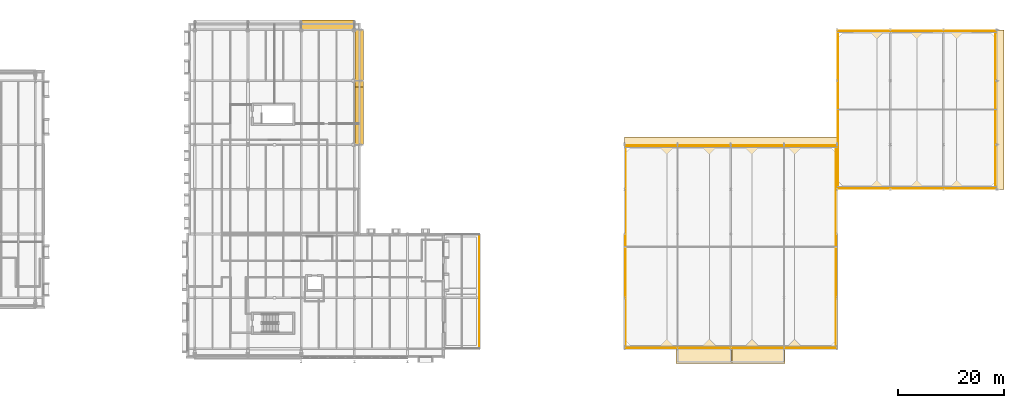
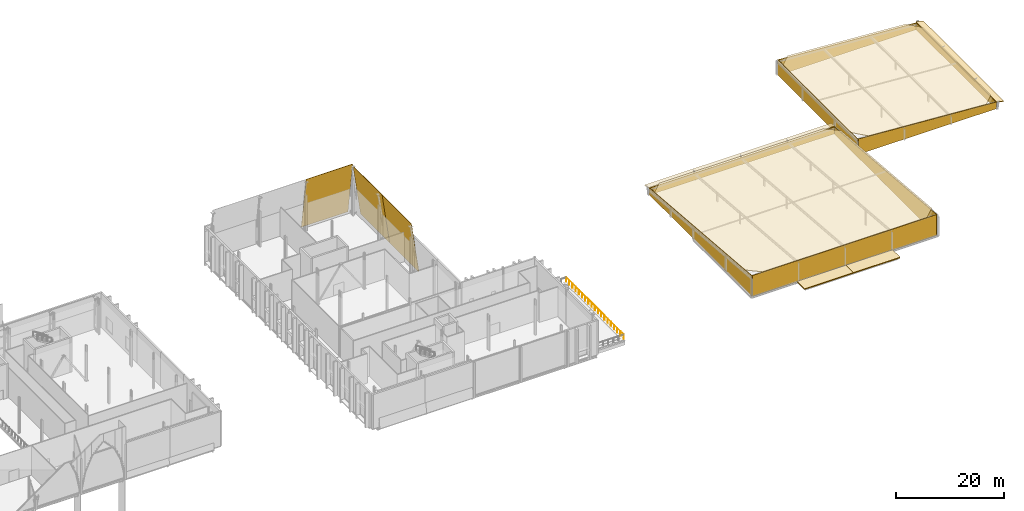
# One storey, part 79 of 79: 17 coverings, 1 railing.
"""IFC4 building model written with IfcOpenShell, lengths in metres."""

from ifc_helpers import new_model, si_unit, direction, frame, origin, origin_2d, place, context, subcontext, project, spatial, polyline, circle, outline, extrude, material, layer, layer_set, type_object, element, save


model = new_model("IFC4")

# Units and contexts
model_context = context("Model", 3, precision=1e-05, world=origin(), true_north=direction((0.0, 1.0)))
body_context = subcontext(model_context, "Body", "Model", "MODEL_VIEW")
ifc_project = project(units=[si_unit("LENGTHUNIT", "METRE"), si_unit("AREAUNIT", "SQUARE_METRE"), si_unit("VOLUMEUNIT", "CUBIC_METRE"), si_unit("PLANEANGLEUNIT", "RADIAN"), si_unit("MASSUNIT", "GRAM", prefix="KILO")], contexts=[model_context])

# Site, building, storey
site_placement = place(None, origin())
site = spatial("IfcSite", under=ifc_project, at=site_placement, CompositionType="ELEMENT")
building_placement = place(site_placement, origin())
building = spatial("IfcBuilding", under=site, at=building_placement, Name="Zereglee Splitstone Museum", CompositionType="ELEMENT")
storey_placement = place(building_placement, frame((0.0, 0.0, 9.0)))
storey = spatial("IfcBuildingStorey", under=building, at=storey_placement, Name="L02", CompositionType="ELEMENT", Elevation=9.0)

# Coverings
ifc_material_1 = material(Name="Honed Gobi pale limestone stringcourse and soffit cladding", Category="masonry")
ifc_layer_1 = layer(ifc_material_1, 0.070068359375)
ifc_layer_set_1 = layer_set([ifc_layer_1], Name="Honed Gobi pale limestone stringcourse and soffit cladding")
covering_type_1 = type_object("IfcCoveringType", Name="CL-02", PredefinedType="CLADDING", material=ifc_layer_set_1)
covering_1_placement = place(storey_placement, frame((195.199951171875, 60.06005859375, 11.64990234375), z_axis=(0.0, 0.988937245775, 0.1483345001), x_axis=(1.0, 0.0, 0.0)))
element("IfcCovering", 1, at=covering_1_placement, inside=storey, type_object=covering_type_1, Name="Split-Rock Continuous Inclined Facet FH-V4N L02.3", PredefinedType="CLADDING", context=body_context, shape_type="SweptSolid", body=[
    extrude(outline(polyline([(0.0, 0.0), (10.0, 0.0), (10.0, 12.033020694280395), (0.0, 12.033020694280395), (0.0, 0.0)])), origin(), (0.0, 0.0, -1.0), 0.070068359375),
])
ifc_material_2 = material(Name="Honed Khoroo red sandstone ventilated rainscreen", Category="masonry")
ifc_layer_2 = layer(ifc_material_2, 0.080078125)
ifc_layer_set_2 = layer_set([ifc_layer_2], Name="Honed Khoroo red sandstone ventilated rainscreen")
covering_type_2 = type_object("IfcCoveringType", Name="CL-01", PredefinedType="CLADDING", material=ifc_layer_set_2)
for number, where, z_axis, x_axis, name in (
    (2, (206.93798828125, 38.39990234375, -0.25), (0.990078421269, 0.0, 0.140515905636), (0.0, 1.0, 0.0), "Split-Rock Continuous Inclined Facet FH-V4E L02.1"),
    (3, (206.93798828125, 49.199951171875, -0.25), (0.990078421269, 0.0, 0.140515905636), (0.0, 1.0, 0.0), "Split-Rock Continuous Inclined Facet FH-V4E L02.2"),
):
    element("IfcCovering", number, at=place(storey_placement, frame(where, z_axis=z_axis, x_axis=x_axis)), inside=storey, type_object=covering_type_2, Name=name, PredefinedType="CLADDING", context=body_context, shape_type="SweptSolid", body=[
        extrude(outline(polyline([(0.0, 0.0), (10.800048828125, 0.0), (10.800048828125, 11.514140798194052), (0.0, 11.514140798194052), (0.0, 0.0)])), origin(), (0.0, 0.0, -1.0), 0.080078125),
    ])
covering_2_placement = place(storey_placement, frame((256.14990234375, 0.14990234375, 0.0), z_axis=(0.0, -1.0, 0.0), x_axis=(1.0, 0.0, 0.0)))
element("IfcCovering", 4, at=covering_2_placement, inside=storey, type_object=covering_type_2, Name="Raked Attic Split-Rock Cladding RF-V5 S", PredefinedType="CLADDING", context=body_context, shape_type="SweptSolid", body=[
    extrude(outline(polyline([(0.0, 0.0), (39.7001953125, 0.0), (39.7001953125, 4.762451171875), (0.0, 4.762451171875), (0.0, 0.0)])), origin(), (0.0, 0.0, -1.0), 0.1201171875),
])
covering_3_placement = place(storey_placement, frame((256.14990234375, 38.25, 1.58740234375), z_axis=(0.0, 1.0, 0.0), x_axis=(1.0, 0.0, 0.0)))
element("IfcCovering", 5, at=covering_3_placement, inside=storey, type_object=covering_type_2, Name="Raked Attic Split-Rock Cladding RF-V5 N", PredefinedType="CLADDING", context=body_context, shape_type="SweptSolid", body=[
    extrude(outline(polyline([(0.0, 0.0), (39.7001953125, 0.0), (39.7001953125, 1.58740234375), (0.0, 1.58740234375), (0.0, 0.0)])), origin(), (0.0, 0.0, -1.0), 0.1201171875),
])
covering_4_placement = place(storey_placement, frame((256.14990234375, 0.14990234375, 4.762451171875), z_axis=(-1.0, 0.0, 0.0), x_axis=(0.0, 0.996545670165, -0.083046536804)))
element("IfcCovering", 6, at=covering_4_placement, inside=storey, type_object=covering_type_2, Name="Raked Attic Split-Rock Cladding RF-V5 W", PredefinedType="CLADDING", context=body_context, shape_type="SweptSolid", body=[
    extrude(outline(polyline([(0.0, 0.0), (38.23216416156382, 0.0), (38.36399242872619, 1.581918932474088), (0.3955050765205167, 4.74600009470502), (0.0, 0.0)])), origin(), (0.0, 0.0, -1.0), 0.1201171875),
])
covering_5_placement = place(storey_placement, frame((295.85009765625, 0.14990234375, 0.0), z_axis=(1.0, 0.0, 0.0), x_axis=(0.0, 1.0, 0.0)))
element("IfcCovering", 7, at=covering_5_placement, inside=storey, type_object=covering_type_2, Name="Raked Attic Split-Rock Cladding RF-V5 E", PredefinedType="CLADDING", context=body_context, shape_type="SweptSolid", body=[
    extrude(outline(polyline([(0.0, 0.0), (38.10009765625, 0.0), (38.10009765625, 1.58740234375), (0.0, 4.762451171875), (0.0, 0.0)])), origin(), (0.0, 0.0, -1.0), 0.1201171875),
])
covering_6_placement = place(storey_placement, frame((296.14990234375, 30.14990234375, 0.0), z_axis=(0.0, -1.0, 0.0), x_axis=(1.0, 0.0, 0.0)))
element("IfcCovering", 8, at=covering_6_placement, inside=storey, type_object=covering_type_2, Name="Raked Attic Split-Rock Cladding RF-V6 S", PredefinedType="CLADDING", context=body_context, shape_type="SweptSolid", body=[
    extrude(outline(polyline([(0.0, 0.0), (29.7001953125, 0.0), (29.7001953125, 1.534912109375), (0.0, 3.514892578125), (0.0, 0.0)])), origin(), (0.0, 0.0, -1.0), 0.1201171875),
])
covering_7_placement = place(storey_placement, frame((296.14990234375, 59.85009765625, 3.514892578125), z_axis=(0.0, 1.0, 0.0), x_axis=(0.99778523044, 0.0, -0.066517921768)))
element("IfcCovering", 9, at=covering_7_placement, inside=storey, type_object=covering_type_2, Name="Raked Attic Split-Rock Cladding RF-V6 N", PredefinedType="CLADDING", context=body_context, shape_type="SweptSolid", body=[
    extrude(outline(polyline([(0.0, 0.0), (29.766120409910297, 2.220446049250313e-16), (29.868219573521774, 1.5315126327575133), (0.23380334953307425, 3.5071079010354564), (0.0, 0.0)])), origin(), (0.0, 0.0, -1.0), 0.1201171875),
])
covering_8_placement = place(storey_placement, frame((296.14990234375, 30.14990234375, 3.514892578125), z_axis=(-1.0, 0.0, 0.0), x_axis=(0.0, 1.0, 0.0)))
element("IfcCovering", 10, at=covering_8_placement, inside=storey, type_object=covering_type_2, Name="Raked Attic Split-Rock Cladding RF-V6 W", PredefinedType="CLADDING", context=body_context, shape_type="SweptSolid", body=[
    extrude(outline(polyline([(0.0, 0.0), (29.7001953125, 0.0), (29.7001953125, 3.514892578125), (0.0, 3.514892578125), (0.0, 0.0)])), origin(), (0.0, 0.0, -1.0), 0.1201171875),
])
covering_9_placement = place(storey_placement, frame((325.85009765625, 30.14990234375, 0.0), z_axis=(1.0, 0.0, 0.0), x_axis=(0.0, 1.0, 0.0)))
element("IfcCovering", 11, at=covering_9_placement, inside=storey, type_object=covering_type_2, Name="Raked Attic Split-Rock Cladding RF-V6 E", PredefinedType="CLADDING", context=body_context, shape_type="SweptSolid", body=[
    extrude(outline(polyline([(0.0, 0.0), (29.7001953125, 0.0), (29.7001953125, 1.534912109375), (0.0, 1.534912109375), (0.0, 0.0)])), origin(), (0.0, 0.0, -1.0), 0.1201171875),
])

# Railing
ifc_material_3 = material(Name="Brushed stainless steel 1.4404 post-and-rail guard", Category="steel")
railing_type = type_object("IfcRailingType", Name="GR-01", PredefinedType="GUARDRAIL", material=ifc_material_3)
railing_placement = place(storey_placement, frame((228.679931640625, 0.1201171875, 0.0)))
element("IfcRailing", 12, at=railing_placement, inside=storey, type_object=railing_type, Name="Outdoor Terrace Guard TER-L02-S1-2", PredefinedType="GUARDRAIL", context=body_context, shape_type="SweptSolid", body=[
    extrude(circle(Radius=0.02392578125, at=origin_2d()), frame((0.0, 0.0, 1.076416015625), z_axis=(0.0, 1.0, 0.0), x_axis=(-1.0, 0.0, 0.0)), (0.0, 0.0, 1.0), 21.35986328125),
    extrude(circle(Radius=0.02099609375, at=origin_2d()), origin(), (0.0, 0.0, 1.0), 1.052001953125),
    extrude(circle(Radius=0.02099609375, at=origin_2d()), frame((0.0, 1.186767578125, 0.0)), (0.0, 0.0, 1.0), 1.052001953125),
    extrude(circle(Radius=0.02099609375, at=origin_2d()), frame((0.0, 2.373291015625, 0.0)), (0.0, 0.0, 1.0), 1.052001953125),
    extrude(circle(Radius=0.02099609375, at=origin_2d()), frame((0.0, 3.56005859375, 0.0)), (0.0, 0.0, 1.0), 1.052001953125),
    extrude(circle(Radius=0.02099609375, at=origin_2d()), frame((0.0, 4.74658203125, 0.0)), (0.0, 0.0, 1.0), 1.052001953125),
    extrude(circle(Radius=0.02099609375, at=origin_2d()), frame((0.0, 5.933349609375, 0.0)), (0.0, 0.0, 1.0), 1.052001953125),
    extrude(circle(Radius=0.02099609375, at=origin_2d()), frame((0.0, 7.119873046875, 0.0)), (0.0, 0.0, 1.0), 1.052001953125),
    extrude(circle(Radius=0.02099609375, at=origin_2d()), frame((0.0, 8.306640625, 0.0)), (0.0, 0.0, 1.0), 1.052001953125),
    extrude(circle(Radius=0.02099609375, at=origin_2d()), frame((0.0, 9.4931640625, 0.0)), (0.0, 0.0, 1.0), 1.052001953125),
    extrude(circle(Radius=0.02099609375, at=origin_2d()), frame((0.0, 10.679931640625, 0.0)), (0.0, 0.0, 1.0), 1.052001953125),
    extrude(circle(Radius=0.02099609375, at=origin_2d()), frame((0.0, 11.86669921875, 0.0)), (0.0, 0.0, 1.0), 1.052001953125),
    extrude(circle(Radius=0.02099609375, at=origin_2d()), frame((0.0, 13.05322265625, 0.0)), (0.0, 0.0, 1.0), 1.052001953125),
    extrude(circle(Radius=0.02099609375, at=origin_2d()), frame((0.0, 14.239990234375, 0.0)), (0.0, 0.0, 1.0), 1.052001953125),
    extrude(circle(Radius=0.02099609375, at=origin_2d()), frame((0.0, 15.426513671875, 0.0)), (0.0, 0.0, 1.0), 1.052001953125),
    extrude(circle(Radius=0.02099609375, at=origin_2d()), frame((0.0, 16.61328125, 0.0)), (0.0, 0.0, 1.0), 1.052001953125),
    extrude(circle(Radius=0.02099609375, at=origin_2d()), frame((0.0, 17.7998046875, 0.0)), (0.0, 0.0, 1.0), 1.052001953125),
    extrude(circle(Radius=0.02099609375, at=origin_2d()), frame((0.0, 18.986572265625, 0.0)), (0.0, 0.0, 1.0), 1.052001953125),
    extrude(circle(Radius=0.02099609375, at=origin_2d()), frame((0.0, 20.173095703125, 0.0)), (0.0, 0.0, 1.0), 1.052001953125),
    extrude(circle(Radius=0.02099609375, at=origin_2d()), frame((0.0, 21.35986328125, 0.0)), (0.0, 0.0, 1.0), 1.052001953125),
])

# Coverings
ifc_material_4 = material(Name="Honed Khoroo red sandstone chhajja eave coping", Category="masonry")
ifc_layer_3 = layer(ifc_material_4, 0.110107421875)
ifc_layer_set_3 = layer_set([ifc_layer_3], Name="Honed Khoroo red sandstone chhajja eave coping")
covering_type_3 = type_object("IfcCoveringType", Name="RF-C2", PredefinedType="ROOFING", material=ifc_layer_set_3)
covering_10_placement = place(storey_placement, frame((0.0, 0.0, -0.02001953125)))
element("IfcCovering", 13, at=covering_10_placement, inside=storey, type_object=covering_type_3, Name="Mughal Pishtaq Carved Cornice Deck PSQ-SV5-1", PredefinedType="ROOFING", context=body_context, shape_type="SweptSolid", body=[
    extrude(outline(polyline([(265.75, -2.75), (276.25, -2.75), (276.25, 0.050048828125), (265.75, 0.050048828125), (265.75, -2.75)])), origin(), (0.0, 0.0, 1.0), 0.219970703125),
])
covering_11_placement = place(storey_placement, frame((0.0, 0.0, -0.02001953125)))
element("IfcCovering", 14, at=covering_11_placement, inside=storey, type_object=covering_type_3, Name="Mughal Pishtaq Carved Cornice Deck PSQ-SV5-2", PredefinedType="ROOFING", context=body_context, shape_type="SweptSolid", body=[
    extrude(outline(polyline([(275.75, -2.75), (286.25, -2.75), (286.25, 0.050048828125), (275.75, 0.050048828125), (275.75, -2.75)])), origin(), (0.0, 0.0, 1.0), 0.219970703125),
])
covering_12_placement = place(storey_placement, frame((256.0, 38.25, 1.669921875), z_axis=(0.0, 0.202075089162, 0.979370031367), x_axis=(1.0, 0.0, 0.0)))
element("IfcCovering", 15, at=covering_12_placement, inside=storey, type_object=covering_type_3, Name="Projecting Mughal Chhajja Stone Eave RF-V5", PredefinedType="ROOFING", context=body_context, shape_type="SweptSolid", body=[
    extrude(outline(polyline([(0.0, 0.0), (40.0, 0.0), (40.0, 1.58269987694153), (0.0, 1.58269987694153), (0.0, 0.0)])), origin(), (0.0, 0.0, -1.0), 0.110107421875),
])
covering_13_placement = place(storey_placement, frame((327.39990234375, 30.0, 1.300048828125), z_axis=(0.202253592257, 0.0, 0.979333183559), x_axis=(0.0, 1.0, 0.0)))
element("IfcCovering", 16, at=covering_13_placement, inside=storey, type_object=covering_type_3, Name="Projecting Mughal Chhajja Stone Eave RF-V6", PredefinedType="ROOFING", context=body_context, shape_type="SweptSolid", body=[
    extrude(outline(polyline([(0.0, 0.0), (30.0, 0.0), (30.0, 1.5825101339549066), (0.0, 1.5825101339549066), (0.0, 0.0)])), origin(), (0.0, 0.0, -1.0), 0.110107421875),
])
ifc_material_5 = material(Name="Pre-weathered quartz-zinc standing-seam roofing on rigid PIR insulation")
ifc_layer_4 = layer(ifc_material_5, 0.1201171875)
ifc_layer_set_4 = layer_set([ifc_layer_4], Name="Pre-weathered quartz-zinc standing-seam roofing on rigid PIR insulation")
covering_type_4 = type_object("IfcCoveringType", Name="RF-C1", PredefinedType="ROOFING", material=ifc_layer_set_4)
covering_14_placement = place(storey_placement, frame((258.39990234375, 0.0, 4.965087890625), z_axis=(0.0, 0.083050129014, 0.996545370804), x_axis=(1.0, 0.0, 0.0)))
element("IfcCovering", 17, at=covering_14_placement, inside=storey, type_object=covering_type_4, Name="Standing-Seam Zinc Roof Covering RF-V5", PredefinedType="ROOFING", context=body_context, shape_type="SweptSolid", body=[
    extrude(outline(polyline([(0.0, 0.0), (35.2001953125, 0.0), (37.60009765625, 2.408237817576706), (37.60009765625, 36.12478373598376), (35.2001953125, 38.53302155356047), (0.0, 38.53302155356047), (-2.39990234375, 36.12478373598376), (-2.39990234375, 2.408237817576706), (0.0, 0.0)])), origin(), (0.0, 0.0, -1.0), 0.1201171875),
])
covering_15_placement = place(storey_placement, frame((298.39990234375, 30.0, 3.554931640625), z_axis=(0.066518792163, 0.0, 0.997785172414), x_axis=(0.997785172414, 0.0, -0.066518792163)))
element("IfcCovering", 18, at=covering_15_placement, inside=storey, type_object=covering_type_4, Name="Standing-Seam Zinc Roof Covering RF-V6", PredefinedType="ROOFING", context=body_context, shape_type="SweptSolid", body=[
    extrude(outline(polyline([(0.0, 0.0), (25.25612824839931, 0.0), (27.66135238260246, 2.3999023437500004), (27.66135238260246, 27.600097656250007), (25.25612824839931, 30.000000000000007), (0.0, 30.000000000000007), (-2.4052403741426396, 27.600097656250007), (-2.4052403741426396, 2.3999023437500004), (0.0, 0.0)])), origin(), (0.0, 0.0, -1.0), 0.1201171875),
])

save(model, "model.ifc")
